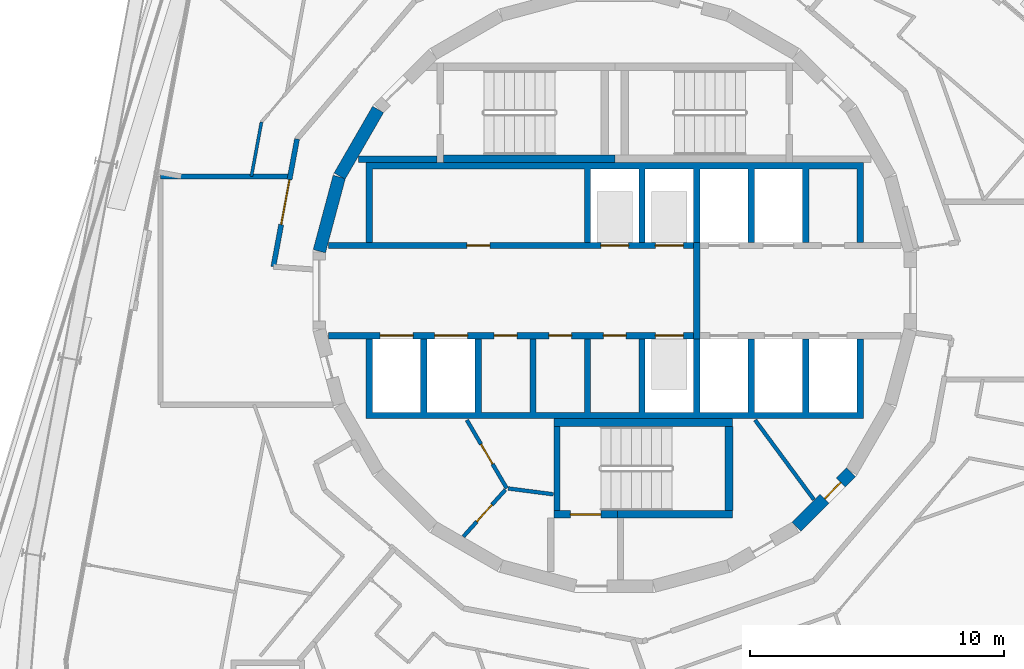
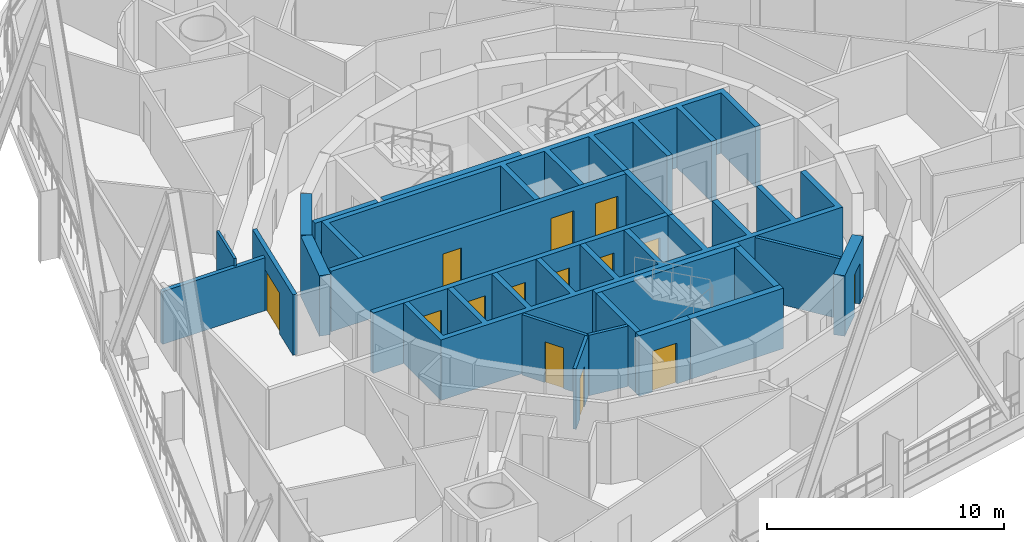
# One storey, part 12 of 25: 22 walls, 14 doors, 14 openings.
"""IFC4 building model written with IfcOpenShell, lengths in metres."""

import ifcopenshell
import ifcopenshell.guid

model = None  # the IFC model being written
_history = None  # IfcOwnerHistory: only IFC2X3 demands one
_inside = {}  # id of a spatial element -> (the spatial element, [elements in it])
_under = {}  # id of a project, library or spatial element -> (it, [spatial elements below it])
_declared = {}  # id of a project -> (the project, [libraries it declares])
_typed = {}  # id of a type object -> (the type object, [elements of that type])
_made_of = {}  # id of a material, layer set ... -> (it, [elements and type objects made of it])


def new_model(schema):
    """Start an empty IFC model of exactly this schema.

    Asked for "IFC4X3", IfcOpenShell would pick the latest addendum, in which some entities
    have other attributes; the version numbers below select the first issue.
    IFC2X3 requires an IfcOwnerHistory on every rooted entity: one is made here for all.
    """
    global model, _history
    if schema == "IFC4X3":
        model = ifcopenshell.file(schema_version=(4, 3, 0, 0))
    else:
        model = ifcopenshell.file(schema=schema)
    _inside.clear()
    _under.clear()
    _declared.clear()
    _typed.clear()
    _made_of.clear()
    _history = None
    if model.schema == "IFC2X3":
        org = make("IfcOrganization", Name="unknown")
        user = make(
            "IfcPersonAndOrganization",
            ThePerson=make("IfcPerson", FamilyName="unknown"),
            TheOrganization=org,
        )
        app = make(
            "IfcApplication",
            ApplicationDeveloper=org,
            Version="unknown",
            ApplicationFullName="unknown",
            ApplicationIdentifier="unknown",
        )
        _history = make(
            "IfcOwnerHistory",
            OwningUser=user,
            OwningApplication=app,
            ChangeAction="ADDED",
            CreationDate=0,
        )
    return model


def make(cls, **values):
    """One entity of the class cls with the attributes given. An attribute that is None is left unset."""
    return model.create_entity(
        cls, **{name: value for name, value in values.items() if value is not None}
    )


def rooted(cls, **values):
    """An entity with a GlobalId (a new one), such as an element, a storey or a relation."""
    return make(cls, GlobalId=ifcopenshell.guid.new(), OwnerHistory=_history, **values)


def si_unit(unit_type, name, prefix=None):
    """IfcSIUnit, for example si_unit("LENGTHUNIT", "METRE", prefix="MILLI")."""
    return make("IfcSIUnit", UnitType=unit_type, Prefix=prefix, Name=name)


def assignment(units):
    """IfcUnitAssignment: the units of a project."""
    return None if units is None else make("IfcUnitAssignment", Units=units)


def point(xyz):
    """IfcCartesianPoint."""
    return None if xyz is None else make("IfcCartesianPoint", Coordinates=xyz)


def direction(xyz):
    """IfcDirection."""
    return None if xyz is None else make("IfcDirection", DirectionRatios=xyz)


def frame(location, z_axis=None, x_axis=None):
    """IfcAxis2Placement3D, a coordinate frame: its origin and axes. An axis left out is left unset."""
    return make(
        "IfcAxis2Placement3D",
        Location=point(location),
        Axis=direction(z_axis),
        RefDirection=direction(x_axis),
    )


def frame_2d(location, x_axis=None):
    """IfcAxis2Placement2D, a coordinate frame in the plane: its origin and x axis."""
    return make(
        "IfcAxis2Placement2D", Location=point(location), RefDirection=direction(x_axis)
    )


def origin():
    """The frame at (0, 0, 0) with its axes left unset."""
    return frame((0.0, 0.0, 0.0))


def place(relative_to, where):
    """IfcLocalPlacement: puts the frame where relative to a parent placement (None: the world)."""
    return make(
        "IfcLocalPlacement", PlacementRelTo=relative_to, RelativePlacement=where
    )


def context(
    kind, dimensions, precision=None, world=None, true_north=None, identifier=None
):
    """IfcGeometricRepresentationContext, for example the 3D "Model" context."""
    return make(
        "IfcGeometricRepresentationContext",
        ContextIdentifier=identifier,
        ContextType=kind,
        CoordinateSpaceDimension=dimensions,
        Precision=precision,
        WorldCoordinateSystem=world,
        TrueNorth=true_north,
    )


def subcontext(parent, identifier, kind, view, scale=None):
    """IfcGeometricRepresentationSubContext, for example "Body" below "Model"."""
    return make(
        "IfcGeometricRepresentationSubContext",
        ContextIdentifier=identifier,
        ContextType=kind,
        ParentContext=parent,
        TargetScale=scale,
        TargetView=view,
    )


def project(units=None, contexts=None):
    """IfcProject with its units and contexts."""
    return rooted(
        "IfcProject",
        Name="project",
        RepresentationContexts=contexts,
        UnitsInContext=assignment(units),
    )


def spatial(cls, under=None, at=None, **own):
    """A site, building, storey or space (cls), placed at a placement, below another one or the project."""
    s = rooted(cls, ObjectPlacement=at, **own)
    if under is not None:
        _under.setdefault(under.id(), (under, []))[1].append(s)
    return s


def polyline(points):
    """IfcPolyline through the points."""
    return make("IfcPolyline", Points=[point(p) for p in points])


def profile(cls, at=None, kind="AREA", **sizes):
    """A parametric profile (cls). Its sizes go by their IFC names, for example OverallWidth=200.0."""
    return make(cls, ProfileType=kind, Position=at, **sizes)


def rectangle(**sizes):
    """IfcRectangleProfileDef."""
    return profile("IfcRectangleProfileDef", **sizes)


def outline(outer, holes=None, kind="AREA"):
    """IfcArbitraryClosedProfileDef: a profile drawn as a closed curve; with holes, ...WithVoids."""
    if holes is None:
        return make("IfcArbitraryClosedProfileDef", ProfileType=kind, OuterCurve=outer)
    return make(
        "IfcArbitraryProfileDefWithVoids",
        ProfileType=kind,
        OuterCurve=outer,
        InnerCurves=holes,
    )


def extrude(swept, where, along, depth):
    """IfcExtrudedAreaSolid: the profile swept, set in the frame where, extruded along a direction by depth."""
    return make(
        "IfcExtrudedAreaSolid",
        SweptArea=swept,
        Position=where,
        ExtrudedDirection=direction(along),
        Depth=depth,
    )


def shape(context_of_items, identifier, shape_type, items):
    """IfcShapeRepresentation: the items that make up one representation, for example the "Body"."""
    return make(
        "IfcShapeRepresentation",
        ContextOfItems=context_of_items,
        RepresentationIdentifier=identifier,
        RepresentationType=shape_type,
        Items=items,
    )


def material(Name=None, Category=None):
    """IfcMaterial."""
    return make("IfcMaterial", Name=Name, Category=Category)


def layer(
    of_material, thickness, ventilated=None, Name=None, Category=None, Priority=None
):
    """IfcMaterialLayer: one layer of a wall or slab, of a material (None: an air gap)."""
    return make(
        "IfcMaterialLayer",
        Material=of_material,
        LayerThickness=thickness,
        IsVentilated=ventilated,
        Name=Name,
        Category=Category,
        Priority=Priority,
    )


def layer_set(layers, Name=None):
    """IfcMaterialLayerSet."""
    return make("IfcMaterialLayerSet", MaterialLayers=layers, LayerSetName=Name)


def made_of(thing, what):
    """Note that an element or type object is made of a material, layer set ...; save() writes the relation."""
    if what is not None:
        _made_of.setdefault(what.id(), (what, []))[1].append(thing)
    return thing


def type_object(cls, material=None, **own):
    """A type object (cls), such as IfcWallType, which elements share."""
    return made_of(rooted(cls, **own), material)


def element(
    cls,
    number,
    at=None,
    inside=None,
    cuts=None,
    type_object=None,
    material=None,
    context=None,
    identifier="Body",
    shape_type=None,
    held_by="IfcProductDefinitionShape",
    body=None,
    shapes=None,
    **own,
):
    """One element of the class cls, such as IfcWall. Its Tag is "e" and its number.

    at: its placement. inside: the storey or other place that contains it. cuts: it is an
    opening in that element (IfcRelVoidsElement). A single representation is given by context,
    identifier, shape_type and body (its items); several are given by shapes. held_by: the class
    of the entity that holds the representations. save() writes the other relations.
    """
    e = rooted(cls, Tag="e%d" % number, ObjectPlacement=at, **own)
    if body is not None:
        shapes = [shape(context, identifier, shape_type, body)]
    if shapes is not None:
        e.Representation = make(held_by, Representations=shapes)
    if inside is not None:
        _inside.setdefault(inside.id(), (inside, []))[1].append(e)
    if cuts is not None:
        rooted(
            "IfcRelVoidsElement", RelatingBuildingElement=cuts, RelatedOpeningElement=e
        )
    if type_object is not None:
        _typed.setdefault(type_object.id(), (type_object, []))[1].append(e)
    return made_of(e, material)


def fill(opening, filler):
    """IfcRelFillsElement: the door or window that sits in an opening."""
    return rooted(
        "IfcRelFillsElement",
        RelatingOpeningElement=opening,
        RelatedBuildingElement=filler,
    )


def aggregate(whole, parts):
    """IfcRelAggregates: a whole, such as a stair, and the parts it consists of."""
    return rooted("IfcRelAggregates", RelatingObject=whole, RelatedObjects=parts)


def save(model, path):
    """Write the relations noted so far, then the file.

    IfcRelAggregates (storeys below a building ...), IfcRelContainedInSpatialStructure (elements
    in a storey), IfcRelDefinesByType, IfcRelAssociatesMaterial and IfcRelDeclares: one each for
    every whole, place, type object, material and project.
    """
    for whole, parts in _under.values():
        aggregate(whole, parts)
    for where, things in _inside.values():
        rooted(
            "IfcRelContainedInSpatialStructure",
            RelatedElements=things,
            RelatingStructure=where,
        )
    for kind, things in _typed.values():
        rooted("IfcRelDefinesByType", RelatedObjects=things, RelatingType=kind)
    for what, things in _made_of.values():
        rooted("IfcRelAssociatesMaterial", RelatedObjects=things, RelatingMaterial=what)
    for by, libraries in _declared.values():
        rooted("IfcRelDeclares", RelatingContext=by, RelatedDefinitions=libraries)
    model.write(path)


model = new_model("IFC4")

# Units and contexts
model_context = context("Model", 3, precision=1e-05, world=origin(), true_north=direction((0.0, 1.0)))
body_context = subcontext(model_context, "Body", "Model", "MODEL_VIEW")
ifc_project = project(units=[si_unit("LENGTHUNIT", "METRE"), si_unit("AREAUNIT", "SQUARE_METRE"), si_unit("VOLUMEUNIT", "CUBIC_METRE"), si_unit("PLANEANGLEUNIT", "RADIAN"), si_unit("MASSUNIT", "GRAM", prefix="KILO")], contexts=[model_context])

# Site, building, storey
site_placement = place(None, origin())
site = spatial("IfcSite", under=ifc_project, at=site_placement, CompositionType="ELEMENT")
building_placement = place(site_placement, origin())
building = spatial("IfcBuilding", under=site, at=building_placement, Name="Spindle Arch Residences", CompositionType="ELEMENT")
storey_placement = place(building_placement, frame((0.0, 0.0, 151.699951171875)))
storey = spatial("IfcBuildingStorey", under=building, at=storey_placement, Name="L37", CompositionType="ELEMENT", Elevation=151.699951171875)

# Wall, opening, door
ifc_material_1 = material(Name="Concrete C50/60", Category="concrete")
ifc_layer_1 = layer(ifc_material_1, 0.5)
ifc_layer_set_1 = layer_set([ifc_layer_1], Name="Core outline wall 500")
wall_type_1 = type_object("IfcWallType", Name="Core outline wall 500", PredefinedType="SHEAR", material=ifc_layer_set_1)
wall_1_placement = place(storey_placement, frame((7.163818359375, -9.30810546875, 0.0), z_axis=(0.0, 0.0, 1.0), x_axis=(0.707106781187, 0.707106781187, 0.0)))
wall_1 = element("IfcWall", 1, at=wall_1_placement, inside=storey, type_object=wall_type_1, Name="Core outline wall 3", PredefinedType="SHEAR", context=body_context, shape_type="SweptSolid", body=[
    extrude(rectangle(XDim=3.032470703125, YDim=0.5, at=frame_2d((1.51611328125, 0.0))), origin(), (0.0, 0.0, 1.0), 3.1201171875),
])
opening_1_placement = place(wall_1_placement, frame((1.56640625, 0.0, 0.0)))
opening_1 = element("IfcOpeningElement", 2, at=opening_1_placement, cuts=wall_1, Name="Opening R4A0-WD09", PredefinedType="OPENING", context=body_context, shape_type="SweptSolid", body=[
    extrude(rectangle(XDim=0.89990234375, YDim=2.10009765625, at=frame_2d((0.449951171875, 1.050048828125))), frame((0.0, 0.260009765625, 0.0), z_axis=(0.0, -1.0, 0.0), x_axis=(1.0, 0.0, 0.0)), (0.0, 0.0, 1.0), 0.52001953125),
])
ifc_material_2 = material(Name="Steel, fire-resisting door", Category="steel")
door_type_1 = type_object("IfcDoorType", Name="Service room door 900x2100", OperationType="SINGLE_SWING_LEFT", PredefinedType="DOOR", material=ifc_material_2)
door_1_placement = place(opening_1_placement, origin())
door_1 = element("IfcDoor", 3, at=door_1_placement, inside=storey, type_object=door_type_1, Name="Service room door R4A0-WD09", OperationType="SINGLE_SWING_LEFT", OverallHeight=2.10009765625, OverallWidth=0.89990234375, PredefinedType="DOOR", context=body_context, shape_type="SweptSolid", body=[
    extrude(rectangle(XDim=0.89990234375, YDim=2.10009765625, at=frame_2d((0.449951171875, 1.050048828125))), frame((0.0, 0.02490234375, 0.0), z_axis=(0.0, -1.0, 0.0), x_axis=(1.0, 0.0, 0.0)), (0.0, 0.0, 1.0), 0.050048828125),
])
fill(opening_1, door_1)

# Walls
for number, where, z_axis, x_axis, name in (
    (4, (-9.32861328125, 7.13671875, 0.0), (0.0, 0.0, 1.0), (-0.500087131594, -0.865975092491, 0.0), "Core outline wall 16"),
    (5, (-10.858154296875, 4.479248046875, 0.0), (0.0, 0.0, 1.0), (-0.258734743916, -0.965948410781, 0.0), "Core outline wall 17"),
):
    element("IfcWall", number, at=place(storey_placement, frame(where, z_axis=z_axis, x_axis=x_axis)), inside=storey, type_object=wall_type_1, Name=name, PredefinedType="SHEAR", context=body_context, shape_type="SweptSolid", body=[
        extrude(rectangle(XDim=3.03271484375, YDim=0.5, at=frame_2d((1.516357421875, 0.0))), origin(), (0.0, 0.0, 1.0), 3.1201171875),
    ])
ifc_material_3 = material(Name="Concrete C40/50", Category="concrete")
ifc_layer_2 = layer(ifc_material_3, 0.25)
ifc_layer_set_2 = layer_set([ifc_layer_2], Name="Fire-lift lobby wall 250")
wall_type_2 = type_object("IfcWallType", Name="Fire-lift lobby wall 250", PredefinedType="SHEAR", material=ifc_layer_set_2)
wall_2_placement = place(storey_placement, frame((3.22509765625, -1.89990234375, 0.0), z_axis=(0.0, 0.0, 1.0), x_axis=(0.0, 1.0, 0.0)))
element("IfcWall", 6, at=wall_2_placement, inside=storey, type_object=wall_type_2, Name="Fire-fighting lobby partition", PredefinedType="SHEAR", context=body_context, shape_type="SweptSolid", body=[
    extrude(rectangle(XDim=3.7998046875, YDim=0.25, at=frame_2d((1.89990234375, 0.0))), origin(), (0.0, 0.0, 1.0), 3.1201171875),
])
ifc_material_4 = material(Name="Plasterboard on steel studs", Category="steel")
ifc_layer_3 = layer(ifc_material_4, 0.1201171875)
ifc_layer_set_3 = layer_set([ifc_layer_3], Name="Flat partition 120")
wall_type_3 = type_object("IfcWallType", Name="Flat partition 120", PredefinedType="PARTITIONING", material=ifc_layer_set_3)
wall_3_placement = place(storey_placement, frame((-13.9228515625, 6.640869140625, 0.0), z_axis=(0.0, 0.0, 1.0), x_axis=(-0.182209715759, -0.983259690765, 0.0)))
element("IfcWall", 7, at=wall_3_placement, inside=storey, type_object=wall_type_3, Name="Flat partition R4A0-W074", PredefinedType="PARTITIONING", context=body_context, shape_type="SweptSolid", body=[
    extrude(rectangle(XDim=2.17724609375, YDim=0.1201171875, at=frame_2d((1.088623046875, 0.0))), origin(), (0.0, 0.0, 1.0), 3.1201171875),
])

# Wall, opening, door
ifc_material_5 = material(Name="Calcium silicate block, plastered")
ifc_layer_4 = layer(ifc_material_5, 0.199951171875)
ifc_layer_set_4 = layer_set([ifc_layer_4], Name="Lift lobby bay wall 200")
wall_type_4 = type_object("IfcWallType", Name="Lift lobby bay wall 200", PredefinedType="STANDARD", material=ifc_layer_set_4)
wall_4_placement = place(storey_placement, frame((-12.521240234375, 5.972412109375, 0.0), z_axis=(0.0, 0.0, 1.0), x_axis=(-0.182251559718, -0.983251935661, 0.0)))
wall_4 = element("IfcWall", 8, at=wall_4_placement, inside=storey, type_object=wall_type_4, Name="Lift lobby bay wall R4A0-W007", PredefinedType="STANDARD", context=body_context, shape_type="SweptSolid", body=[
    extrude(rectangle(XDim=5.1171875, YDim=0.199951171875, at=frame_2d((2.55859375, 0.0))), origin(), (0.0, 0.0, 1.0), 3.1201171875),
])
opening_2_placement = place(wall_4_placement, frame((1.62744140625, 0.0, 0.0)))
opening_2 = element("IfcOpeningElement", 9, at=opening_2_placement, cuts=wall_4, Name="Opening R4A0-LB01", PredefinedType="OPENING", context=body_context, shape_type="SweptSolid", body=[
    extrude(rectangle(XDim=1.800048828125, YDim=2.10009765625, at=frame_2d((0.89990234375, 1.050048828125))), frame((0.0, 0.10986328125, 0.0), z_axis=(0.0, -1.0, 0.0), x_axis=(1.0, 0.0, 0.0)), (0.0, 0.0, 1.0), 0.219970703125),
])
ifc_material_6 = material(Name="Steel, fire-resisting door", Category="steel")
door_type_2 = type_object("IfcDoorType", Name="Lift lobby bay door 1800x2100", OperationType="NOTDEFINED", PredefinedType="DOOR", material=ifc_material_6)
door_2_placement = place(opening_2_placement, origin())
door_2 = element("IfcDoor", 10, at=door_2_placement, inside=storey, type_object=door_type_2, Name="Lift lobby bay door R4A0-LB01", OperationType="DOUBLE_DOOR_SINGLE_SWING", OverallHeight=2.10009765625, OverallWidth=1.800048828125, PredefinedType="DOOR", context=body_context, shape_type="SweptSolid", body=[
    extrude(rectangle(XDim=1.800048828125, YDim=2.10009765625, at=frame_2d((0.89990234375, 1.050048828125))), frame((0.0, 0.02490234375, 0.0), z_axis=(0.0, -1.0, 0.0), x_axis=(1.0, 0.0, 0.0)), (0.0, 0.0, 1.0), 0.050048828125),
])
fill(opening_2, door_2)

# Wall
ifc_material_7 = material(Name="Calcium silicate block, plastered")
ifc_layer_5 = layer(ifc_material_7, 0.199951171875)
ifc_layer_set_5 = layer_set([ifc_layer_5], Name="Lift lobby bay wall 200 under beam 2730")
wall_type_5 = type_object("IfcWallType", Name="Lift lobby bay wall 200 under beam 2730", PredefinedType="STANDARD", material=ifc_layer_set_5)
wall_5_placement = place(storey_placement, frame((-12.794189453125, 4.5, 0.0), z_axis=(0.0, 0.0, 1.0), x_axis=(-1.0, 0.0, 0.0)))
element("IfcWall", 11, at=wall_5_placement, inside=storey, type_object=wall_type_5, Name="Lift lobby bay wall R4A0-W021", PredefinedType="STANDARD", context=body_context, shape_type="SweptSolid", body=[
    extrude(rectangle(XDim=5.105712890625, YDim=0.199951171875, at=frame_2d((2.552734375, 0.0))), origin(), (0.0, 0.0, 1.0), 2.72998046875),
])

# Wall, openings, doors
ifc_material_8 = material(Name="Concrete C50/60", Category="concrete")
ifc_layer_6 = layer(ifc_material_8, 0.25)
ifc_layer_set_6 = layer_set([ifc_layer_6], Name="Lift shaft wall 250")
wall_type_6 = type_object("IfcWallType", Name="Lift shaft wall 250", PredefinedType="SHEAR", material=ifc_layer_set_6)
wall_6_placement = place(storey_placement, frame((-11.280029296875, 1.77490234375, 0.0), z_axis=(0.0, 0.0, 1.0), x_axis=(1.0, 0.0, 0.0)))
wall_6 = element("IfcWall", 12, at=wall_6_placement, inside=storey, type_object=wall_type_6, Name="Lift shaft front wall NW", PredefinedType="SHEAR", context=body_context, shape_type="SweptSolid", body=[
    extrude(rectangle(XDim=14.380126953125, YDim=0.25, at=frame_2d((7.18994140625, 0.0))), origin(), (0.0, 0.0, 1.0), 3.1201171875),
])
opening_3_placement = place(wall_6_placement, frame((10.72998046875, 0.0, 0.0)))
opening_3 = element("IfcOpeningElement", 13, at=opening_3_placement, cuts=wall_6, Name="Opening R4A0-LD01", PredefinedType="OPENING", context=body_context, shape_type="SweptSolid", body=[
    extrude(rectangle(XDim=1.10009765625, YDim=2.10009765625, at=frame_2d((0.550048828125, 1.050048828125))), frame((0.0, 0.135009765625, 0.0), z_axis=(0.0, -1.0, 0.0), x_axis=(1.0, 0.0, 0.0)), (0.0, 0.0, 1.0), 0.27001953125),
])
opening_4_placement = place(wall_6_placement, frame((12.8798828125, 0.0, 0.0)))
opening_4 = element("IfcOpeningElement", 14, at=opening_4_placement, cuts=wall_6, Name="Opening R4A0-LD02", PredefinedType="OPENING", context=body_context, shape_type="SweptSolid", body=[
    extrude(rectangle(XDim=1.10009765625, YDim=2.10009765625, at=frame_2d((0.550048828125, 1.050048828125))), frame((0.0, 0.135009765625, 0.0), z_axis=(0.0, -1.0, 0.0), x_axis=(1.0, 0.0, 0.0)), (0.0, 0.0, 1.0), 0.27001953125),
])
opening_5_placement = place(wall_6_placement, frame((5.455078125, 0.0, 0.0)))
opening_5 = element("IfcOpeningElement", 15, at=opening_5_placement, cuts=wall_6, Name="Opening R4A0-WD01", PredefinedType="OPENING", context=body_context, shape_type="SweptSolid", body=[
    extrude(rectangle(XDim=0.89990234375, YDim=2.10009765625, at=frame_2d((0.449951171875, 1.050048828125))), frame((0.0, 0.135009765625, 0.0), z_axis=(0.0, -1.0, 0.0), x_axis=(1.0, 0.0, 0.0)), (0.0, 0.0, 1.0), 0.27001953125),
])
ifc_material_9 = material(Name="Steel, fire-resisting landing door", Category="steel")
door_type_3 = type_object("IfcDoorType", Name="Lift landing door 1100x2100", OperationType="DOUBLE_DOOR_SLIDING", PredefinedType="DOOR", material=ifc_material_9)
door_3_placement = place(opening_3_placement, origin())
door_3 = element("IfcDoor", 16, at=door_3_placement, inside=storey, type_object=door_type_3, Name="Lift landing door R4A0-LD01", OperationType="DOUBLE_DOOR_SLIDING", OverallHeight=2.10009765625, OverallWidth=1.10009765625, PredefinedType="DOOR", context=body_context, shape_type="SweptSolid", body=[
    extrude(rectangle(XDim=1.10009765625, YDim=2.10009765625, at=frame_2d((0.550048828125, 1.050048828125))), frame((0.0, 0.02490234375, 0.0), z_axis=(0.0, -1.0, 0.0), x_axis=(1.0, 0.0, 0.0)), (0.0, 0.0, 1.0), 0.050048828125),
])
fill(opening_3, door_3)
door_4_placement = place(opening_4_placement, origin())
door_4 = element("IfcDoor", 17, at=door_4_placement, inside=storey, type_object=door_type_3, Name="Lift landing door R4A0-LD02", OperationType="DOUBLE_DOOR_SLIDING", OverallHeight=2.10009765625, OverallWidth=1.10009765625, PredefinedType="DOOR", context=body_context, shape_type="SweptSolid", body=[
    extrude(rectangle(XDim=1.10009765625, YDim=2.10009765625, at=frame_2d((0.550048828125, 1.050048828125))), frame((0.0, 0.02490234375, 0.0), z_axis=(0.0, -1.0, 0.0), x_axis=(1.0, 0.0, 0.0)), (0.0, 0.0, 1.0), 0.050048828125),
])
fill(opening_4, door_4)
door_5_placement = place(opening_5_placement, origin())
door_5 = element("IfcDoor", 18, at=door_5_placement, inside=storey, type_object=door_type_1, Name="Service room door R4A0-WD01", OperationType="SINGLE_SWING_LEFT", OverallHeight=2.10009765625, OverallWidth=0.89990234375, PredefinedType="DOOR", context=body_context, shape_type="SweptSolid", body=[
    extrude(rectangle(XDim=0.89990234375, YDim=2.10009765625, at=frame_2d((0.449951171875, 1.050048828125))), frame((0.0, 0.02490234375, 0.0), z_axis=(0.0, -1.0, 0.0), x_axis=(1.0, 0.0, 0.0)), (0.0, 0.0, 1.0), 0.050048828125),
])
fill(opening_5, door_5)

wall_7_placement = place(storey_placement, frame((-11.280029296875, -1.77490234375, 0.0), z_axis=(0.0, 0.0, 1.0), x_axis=(1.0, 0.0, 0.0)))
wall_7 = element("IfcWall", 19, at=wall_7_placement, inside=storey, type_object=wall_type_6, Name="Lift shaft front wall SW", PredefinedType="SHEAR", context=body_context, shape_type="SweptSolid", body=[
    extrude(rectangle(XDim=14.380126953125, YDim=0.25, at=frame_2d((7.18994140625, 0.0))), origin(), (0.0, 0.0, 1.0), 3.1201171875),
])
opening_6_placement = place(wall_7_placement, frame((2.030029296875, 0.0, 0.0)))
opening_6 = element("IfcOpeningElement", 20, at=opening_6_placement, cuts=wall_7, Name="Opening R4A0-XLD01", PredefinedType="OPENING", context=body_context, shape_type="SweptSolid", body=[
    extrude(rectangle(XDim=1.300048828125, YDim=2.10009765625, at=frame_2d((0.64990234375, 1.050048828125))), frame((0.0, 0.135009765625, 0.0), z_axis=(0.0, -1.0, 0.0), x_axis=(1.0, 0.0, 0.0)), (0.0, 0.0, 1.0), 0.27001953125),
])
opening_7_placement = place(wall_7_placement, frame((4.179931640625, 0.0, 0.0)))
opening_7 = element("IfcOpeningElement", 21, at=opening_7_placement, cuts=wall_7, Name="Opening R4A0-XLD02", PredefinedType="OPENING", context=body_context, shape_type="SweptSolid", body=[
    extrude(rectangle(XDim=1.300048828125, YDim=2.10009765625, at=frame_2d((0.64990234375, 1.050048828125))), frame((0.0, 0.135009765625, 0.0), z_axis=(0.0, -1.0, 0.0), x_axis=(1.0, 0.0, 0.0)), (0.0, 0.0, 1.0), 0.27001953125),
])
opening_8_placement = place(wall_7_placement, frame((12.8798828125, 0.0, 0.0)))
opening_8 = element("IfcOpeningElement", 22, at=opening_8_placement, cuts=wall_7, Name="Opening R4A0-LD03", PredefinedType="OPENING", context=body_context, shape_type="SweptSolid", body=[
    extrude(rectangle(XDim=1.10009765625, YDim=2.10009765625, at=frame_2d((0.550048828125, 1.050048828125))), frame((0.0, 0.135009765625, 0.0), z_axis=(0.0, -1.0, 0.0), x_axis=(1.0, 0.0, 0.0)), (0.0, 0.0, 1.0), 0.27001953125),
])
opening_9_placement = place(wall_7_placement, frame((6.530029296875, 0.0, 0.0)))
opening_9 = element("IfcOpeningElement", 23, at=opening_9_placement, cuts=wall_7, Name="Opening R4A0-WD03", PredefinedType="OPENING", context=body_context, shape_type="SweptSolid", body=[
    extrude(rectangle(XDim=0.89990234375, YDim=2.10009765625, at=frame_2d((0.449951171875, 1.050048828125))), frame((0.0, 0.135009765625, 0.0), z_axis=(0.0, -1.0, 0.0), x_axis=(1.0, 0.0, 0.0)), (0.0, 0.0, 1.0), 0.27001953125),
])
opening_10_placement = place(wall_7_placement, frame((8.679931640625, 0.0, 0.0)))
opening_10 = element("IfcOpeningElement", 24, at=opening_10_placement, cuts=wall_7, Name="Opening R4A0-WD04", PredefinedType="OPENING", context=body_context, shape_type="SweptSolid", body=[
    extrude(rectangle(XDim=0.89990234375, YDim=2.10009765625, at=frame_2d((0.449951171875, 1.050048828125))), frame((0.0, 0.135009765625, 0.0), z_axis=(0.0, -1.0, 0.0), x_axis=(1.0, 0.0, 0.0)), (0.0, 0.0, 1.0), 0.27001953125),
])
opening_11_placement = place(wall_7_placement, frame((10.830078125, 0.0, 0.0)))
opening_11 = element("IfcOpeningElement", 25, at=opening_11_placement, cuts=wall_7, Name="Opening R4A0-WD05", PredefinedType="OPENING", context=body_context, shape_type="SweptSolid", body=[
    extrude(rectangle(XDim=0.89990234375, YDim=2.10009765625, at=frame_2d((0.449951171875, 1.050048828125))), frame((0.0, 0.135009765625, 0.0), z_axis=(0.0, -1.0, 0.0), x_axis=(1.0, 0.0, 0.0)), (0.0, 0.0, 1.0), 0.27001953125),
])
ifc_material_10 = material(Name="Steel, fire-resisting landing door", Category="steel")
door_type_4 = type_object("IfcDoorType", Name="Express shuttle landing door 1300x2100", OperationType="DOUBLE_DOOR_SLIDING", PredefinedType="DOOR", material=ifc_material_10)
door_6_placement = place(opening_6_placement, origin())
door_6 = element("IfcDoor", 26, at=door_6_placement, inside=storey, type_object=door_type_4, Name="Express shuttle landing door R4A0-XLD01", OperationType="DOUBLE_DOOR_SLIDING", OverallHeight=2.10009765625, OverallWidth=1.300048828125, PredefinedType="DOOR", context=body_context, shape_type="SweptSolid", body=[
    extrude(rectangle(XDim=1.300048828125, YDim=2.10009765625, at=frame_2d((0.64990234375, 1.050048828125))), frame((0.0, 0.02490234375, 0.0), z_axis=(0.0, -1.0, 0.0), x_axis=(1.0, 0.0, 0.0)), (0.0, 0.0, 1.0), 0.050048828125),
])
fill(opening_6, door_6)
door_7_placement = place(opening_7_placement, origin())
door_7 = element("IfcDoor", 27, at=door_7_placement, inside=storey, type_object=door_type_4, Name="Express shuttle landing door R4A0-XLD02", OperationType="DOUBLE_DOOR_SLIDING", OverallHeight=2.10009765625, OverallWidth=1.300048828125, PredefinedType="DOOR", context=body_context, shape_type="SweptSolid", body=[
    extrude(rectangle(XDim=1.300048828125, YDim=2.10009765625, at=frame_2d((0.64990234375, 1.050048828125))), frame((0.0, 0.02490234375, 0.0), z_axis=(0.0, -1.0, 0.0), x_axis=(1.0, 0.0, 0.0)), (0.0, 0.0, 1.0), 0.050048828125),
])
fill(opening_7, door_7)
door_8_placement = place(opening_8_placement, origin())
door_8 = element("IfcDoor", 28, at=door_8_placement, inside=storey, type_object=door_type_3, Name="Lift landing door R4A0-LD03", OperationType="DOUBLE_DOOR_SLIDING", OverallHeight=2.10009765625, OverallWidth=1.10009765625, PredefinedType="DOOR", context=body_context, shape_type="SweptSolid", body=[
    extrude(rectangle(XDim=1.10009765625, YDim=2.10009765625, at=frame_2d((0.550048828125, 1.050048828125))), frame((0.0, 0.02490234375, 0.0), z_axis=(0.0, -1.0, 0.0), x_axis=(1.0, 0.0, 0.0)), (0.0, 0.0, 1.0), 0.050048828125),
])
fill(opening_8, door_8)
door_9_placement = place(opening_9_placement, origin())
door_9 = element("IfcDoor", 29, at=door_9_placement, inside=storey, type_object=door_type_1, Name="Service room door R4A0-WD03", OperationType="SINGLE_SWING_LEFT", OverallHeight=2.10009765625, OverallWidth=0.89990234375, PredefinedType="DOOR", context=body_context, shape_type="SweptSolid", body=[
    extrude(rectangle(XDim=0.89990234375, YDim=2.10009765625, at=frame_2d((0.449951171875, 1.050048828125))), frame((0.0, 0.02490234375, 0.0), z_axis=(0.0, -1.0, 0.0), x_axis=(1.0, 0.0, 0.0)), (0.0, 0.0, 1.0), 0.050048828125),
])
fill(opening_9, door_9)
door_10_placement = place(opening_10_placement, origin())
door_10 = element("IfcDoor", 30, at=door_10_placement, inside=storey, type_object=door_type_1, Name="Service room door R4A0-WD04", OperationType="SINGLE_SWING_RIGHT", OverallHeight=2.10009765625, OverallWidth=0.89990234375, PredefinedType="DOOR", context=body_context, shape_type="SweptSolid", body=[
    extrude(rectangle(XDim=0.89990234375, YDim=2.10009765625, at=frame_2d((0.449951171875, 1.050048828125))), frame((0.0, 0.02490234375, 0.0), z_axis=(0.0, -1.0, 0.0), x_axis=(1.0, 0.0, 0.0)), (0.0, 0.0, 1.0), 0.050048828125),
])
fill(opening_10, door_10)
door_11_placement = place(opening_11_placement, origin())
door_11 = element("IfcDoor", 31, at=door_11_placement, inside=storey, type_object=door_type_1, Name="Service room door R4A0-WD05", OperationType="SINGLE_SWING_LEFT", OverallHeight=2.10009765625, OverallWidth=0.89990234375, PredefinedType="DOOR", context=body_context, shape_type="SweptSolid", body=[
    extrude(rectangle(XDim=0.89990234375, YDim=2.10009765625, at=frame_2d((0.449951171875, 1.050048828125))), frame((0.0, 0.02490234375, 0.0), z_axis=(0.0, -1.0, 0.0), x_axis=(1.0, 0.0, 0.0)), (0.0, 0.0, 1.0), 0.050048828125),
])
fill(opening_11, door_11)

# Walls
ifc_material_11 = material(Name="Concrete C50/60", Category="concrete")
wall_type_7 = type_object("IfcWallType", Name="Lift shaft wall profile", PredefinedType="SHEAR", material=ifc_material_11)
wall_8_placement = place(storey_placement, origin())
element("IfcWall", 32, at=wall_8_placement, inside=storey, type_object=wall_type_7, Name="Lift shaft walls N", PredefinedType="SHEAR", context=body_context, shape_type="SweptSolid", body=[
    extrude(outline(polyline([(-9.550048828125, 4.800048828125), (-1.199951171875, 4.800048828125), (-1.199951171875, 1.89990234375), (-0.949951171875, 1.89990234375), (-0.949951171875, 4.800048828125), (0.949951171875, 4.800048828125), (0.949951171875, 1.89990234375), (1.199951171875, 1.89990234375), (1.199951171875, 4.800048828125), (3.10009765625, 4.800048828125), (3.10009765625, 1.89990234375), (3.35009765625, 1.89990234375), (3.35009765625, 4.800048828125), (5.25, 4.800048828125), (5.25, 1.89990234375), (5.5, 1.89990234375), (5.5, 4.800048828125), (7.39990234375, 4.800048828125), (7.39990234375, 1.89990234375), (7.64990234375, 1.89990234375), (7.64990234375, 4.800048828125), (9.550048828125, 4.800048828125), (9.550048828125, 1.89990234375), (9.800048828125, 1.89990234375), (9.800048828125, 4.800048828125), (9.800048828125, 5.050048828125), (-9.800048828125, 5.050048828125), (-9.800048828125, 4.800048828125), (-9.800048828125, 1.89990234375), (-9.550048828125, 1.89990234375), (-9.550048828125, 4.800048828125)])), origin(), (0.0, 0.0, 1.0), 3.1201171875),
])
wall_9_placement = place(storey_placement, origin())
element("IfcWall", 33, at=wall_9_placement, inside=storey, type_object=wall_type_7, Name="Lift shaft walls S", PredefinedType="SHEAR", context=body_context, shape_type="SweptSolid", body=[
    extrude(outline(polyline([(9.800048828125, -5.050048828125), (9.800048828125, -4.800048828125), (9.800048828125, -1.89990234375), (9.550048828125, -1.89990234375), (9.550048828125, -4.800048828125), (7.64990234375, -4.800048828125), (7.64990234375, -1.89990234375), (7.39990234375, -1.89990234375), (7.39990234375, -4.800048828125), (5.5, -4.800048828125), (5.5, -1.89990234375), (5.25, -1.89990234375), (5.25, -4.800048828125), (3.35009765625, -4.800048828125), (3.35009765625, -1.89990234375), (3.10009765625, -1.89990234375), (3.10009765625, -4.800048828125), (1.199951171875, -4.800048828125), (1.199951171875, -1.89990234375), (0.949951171875, -1.89990234375), (0.949951171875, -4.800048828125), (-0.949951171875, -4.800048828125), (-0.949951171875, -1.89990234375), (-1.199951171875, -1.89990234375), (-1.199951171875, -4.800048828125), (-3.10009765625, -4.800048828125), (-3.10009765625, -1.89990234375), (-3.35009765625, -1.89990234375), (-3.35009765625, -4.800048828125), (-5.25, -4.800048828125), (-5.25, -1.89990234375), (-5.5, -1.89990234375), (-5.5, -4.800048828125), (-7.39990234375, -4.800048828125), (-7.39990234375, -1.89990234375), (-7.64990234375, -1.89990234375), (-7.64990234375, -4.800048828125), (-9.550048828125, -4.800048828125), (-9.550048828125, -1.89990234375), (-9.800048828125, -1.89990234375), (-9.800048828125, -4.800048828125), (-9.800048828125, -5.050048828125), (9.800048828125, -5.050048828125)])), origin(), (0.0, 0.0, 1.0), 3.1201171875),
])
ifc_material_12 = material(Name="Concrete C25/30", Category="concrete")
ifc_layer_7 = layer(ifc_material_12, 0.14990234375)
ifc_layer_set_7 = layer_set([ifc_layer_7], Name="Service room partition 150")
wall_type_8 = type_object("IfcWallType", Name="Service room partition 150", PredefinedType="PARTITIONING", material=ifc_layer_set_7)
wall_10_placement = place(storey_placement, frame((5.528076171875, -5.098388671875, 0.0), z_axis=(0.0, 0.0, 1.0), x_axis=(0.594034318069, -0.804439698769, 0.0)))
element("IfcWall", 34, at=wall_10_placement, inside=storey, type_object=wall_type_8, Name="Core service room partition", PredefinedType="PARTITIONING", context=body_context, shape_type="SweptSolid", body=[
    extrude(rectangle(XDim=3.90673828125, YDim=0.14990234375, at=frame_2d((1.953369140625, 0.0))), origin(), (0.0, 0.0, 1.0), 3.1201171875),
])

# Wall, opening, door
wall_11_placement = place(storey_placement, frame((-5.8291015625, -5.101806640625, 0.0), z_axis=(0.0, 0.0, 1.0), x_axis=(0.504480008384, -0.863423373057, 0.0)))
wall_11 = element("IfcWall", 35, at=wall_11_placement, inside=storey, type_object=wall_type_8, Name="Core service room partition", PredefinedType="PARTITIONING", context=body_context, shape_type="SweptSolid", body=[
    extrude(rectangle(XDim=3.115234375, YDim=0.14990234375, at=frame_2d((1.5576171875, 0.0))), origin(), (0.0, 0.0, 1.0), 3.1201171875),
])
opening_12_placement = place(wall_11_placement, frame((1.107421875, 0.0, 0.0)))
opening_12 = element("IfcOpeningElement", 36, at=opening_12_placement, cuts=wall_11, Name="Opening R4A0-WD07", PredefinedType="OPENING", context=body_context, shape_type="SweptSolid", body=[
    extrude(rectangle(XDim=0.89990234375, YDim=2.10009765625, at=frame_2d((0.449951171875, 1.050048828125))), frame((0.0, 0.0849609375, 0.0), z_axis=(0.0, -1.0, 0.0), x_axis=(1.0, 0.0, 0.0)), (0.0, 0.0, 1.0), 0.169921875),
])
door_12_placement = place(opening_12_placement, origin())
door_12 = element("IfcDoor", 37, at=door_12_placement, inside=storey, type_object=door_type_1, Name="Service room door R4A0-WD07", OperationType="SINGLE_SWING_LEFT", OverallHeight=2.10009765625, OverallWidth=0.89990234375, PredefinedType="DOOR", context=body_context, shape_type="SweptSolid", body=[
    extrude(rectangle(XDim=0.89990234375, YDim=2.10009765625, at=frame_2d((0.449951171875, 1.050048828125))), frame((0.0, 0.02490234375, 0.0), z_axis=(0.0, -1.0, 0.0), x_axis=(1.0, 0.0, 0.0)), (0.0, 0.0, 1.0), 0.050048828125),
])
fill(opening_12, door_12)

wall_12_placement = place(storey_placement, frame((-4.310791015625, -7.85107421875, 0.0), z_axis=(0.0, 0.0, 1.0), x_axis=(-0.667869133096, -0.744278725383, 0.0)))
wall_12 = element("IfcWall", 38, at=wall_12_placement, inside=storey, type_object=wall_type_8, Name="Core service room partition", PredefinedType="PARTITIONING", context=body_context, shape_type="SweptSolid", body=[
    extrude(rectangle(XDim=2.476318359375, YDim=0.14990234375, at=frame_2d((1.23828125, 0.0))), origin(), (0.0, 0.0, 1.0), 3.1201171875),
])
opening_13_placement = place(wall_12_placement, frame((0.7880859375, 0.0, 0.0)))
opening_13 = element("IfcOpeningElement", 39, at=opening_13_placement, cuts=wall_12, Name="Opening R4A0-WD06", PredefinedType="OPENING", context=body_context, shape_type="SweptSolid", body=[
    extrude(rectangle(XDim=0.89990234375, YDim=2.10009765625, at=frame_2d((0.449951171875, 1.050048828125))), frame((0.0, 0.0849609375, 0.0), z_axis=(0.0, -1.0, 0.0), x_axis=(1.0, 0.0, 0.0)), (0.0, 0.0, 1.0), 0.169921875),
])
door_13_placement = place(opening_13_placement, origin())
door_13 = element("IfcDoor", 40, at=door_13_placement, inside=storey, type_object=door_type_1, Name="Service room door R4A0-WD06", OperationType="SINGLE_SWING_RIGHT", OverallHeight=2.10009765625, OverallWidth=0.89990234375, PredefinedType="DOOR", context=body_context, shape_type="SweptSolid", body=[
    extrude(rectangle(XDim=0.89990234375, YDim=2.10009765625, at=frame_2d((0.449951171875, 1.050048828125))), frame((0.0, 0.02490234375, 0.0), z_axis=(0.0, -1.0, 0.0), x_axis=(1.0, 0.0, 0.0)), (0.0, 0.0, 1.0), 0.050048828125),
])
fill(opening_13, door_13)

# Walls
wall_13_placement = place(storey_placement, frame((-4.197998046875, -7.79931640625, 0.0), z_axis=(0.0, 0.0, 1.0), x_axis=(0.991686747293, -0.128675542523, 0.0)))
element("IfcWall", 41, at=wall_13_placement, inside=storey, type_object=wall_type_8, Name="Core service room partition", PredefinedType="PARTITIONING", context=body_context, shape_type="SweptSolid", body=[
    extrude(rectangle(XDim=1.79296875, YDim=0.14990234375, at=frame_2d((0.896484375, 0.0))), origin(), (0.0, 0.0, 1.0), 3.1201171875),
])
ifc_material_13 = material(Name="Concrete C40/50", Category="concrete")
ifc_layer_8 = layer(ifc_material_13, 0.25)
ifc_layer_set_8 = layer_set([ifc_layer_8], Name="Stair airlock wall 250")
wall_type_9 = type_object("IfcWallType", Name="Stair airlock wall 250", PredefinedType="SHEAR", material=ifc_layer_set_8)
wall_14_placement = place(storey_placement, frame((-7.0, 5.175048828125, 0.0), z_axis=(0.0, 0.0, 1.0), x_axis=(-1.0, 0.0, 0.0)))
element("IfcWall", 42, at=wall_14_placement, inside=storey, type_object=wall_type_9, Name="Stair ST-2 airlock wall S", PredefinedType="SHEAR", context=body_context, shape_type="SweptSolid", body=[
    extrude(rectangle(XDim=3.10009765625, YDim=0.25, at=frame_2d((1.550048828125, 0.0))), origin(), (0.0, 0.0, 1.0), 3.1201171875),
])
ifc_material_14 = material(Name="Concrete C50/60", Category="concrete")
ifc_layer_9 = layer(ifc_material_14, 0.25)
ifc_layer_set_9 = layer_set([ifc_layer_9], Name="Stair enclosure wall 250")
wall_type_10 = type_object("IfcWallType", Name="Stair enclosure wall 250", PredefinedType="SHEAR", material=ifc_layer_set_9)
wall_15_placement = place(storey_placement, frame((-2.27490234375, -8.669921875, 0.0), z_axis=(0.0, 0.0, 1.0), x_axis=(0.0, 1.0, 0.0)))
element("IfcWall", 43, at=wall_15_placement, inside=storey, type_object=wall_type_10, Name="Stair ST-3 enclosure wall W", PredefinedType="SHEAR", context=body_context, shape_type="SweptSolid", body=[
    extrude(rectangle(XDim=3.31982421875, YDim=0.25, at=frame_2d((1.659912109375, 0.0))), origin(), (0.0, 0.0, 1.0), 3.1201171875),
])
ifc_material_15 = material(Name="Concrete C50/60", Category="concrete")
ifc_layer_10 = layer(ifc_material_15, 0.300048828125)
ifc_layer_set_10 = layer_set([ifc_layer_10], Name="Stair enclosure wall 300")
wall_type_11 = type_object("IfcWallType", Name="Stair enclosure wall 300", PredefinedType="SHEAR", material=ifc_layer_set_10)
wall_16_placement = place(storey_placement, frame((-6.75, 5.199951171875, 0.0), z_axis=(0.0, 0.0, 1.0), x_axis=(1.0, 0.0, 0.0)))
element("IfcWall", 44, at=wall_16_placement, inside=storey, type_object=wall_type_11, Name="Stair ST-2 enclosure wall S", PredefinedType="SHEAR", context=body_context, shape_type="SweptSolid", body=[
    extrude(rectangle(XDim=6.75, YDim=0.300048828125, at=frame_2d((3.375, 0.0))), origin(), (0.0, 0.0, 1.0), 3.1201171875),
])
wall_17_placement = place(storey_placement, frame((-2.39990234375, -5.199951171875, 0.0), z_axis=(0.0, 0.0, 1.0), x_axis=(1.0, 0.0, 0.0)))
element("IfcWall", 45, at=wall_17_placement, inside=storey, type_object=wall_type_11, Name="Stair ST-3 enclosure wall N", PredefinedType="SHEAR", context=body_context, shape_type="SweptSolid", body=[
    extrude(rectangle(XDim=7.0498046875, YDim=0.300048828125, at=frame_2d((3.52490234375, 0.0))), origin(), (0.0, 0.0, 1.0), 3.1201171875),
])
wall_18_placement = place(storey_placement, frame((4.5, -8.669921875, 0.0), z_axis=(0.0, 0.0, 1.0), x_axis=(0.0, 1.0, 0.0)))
element("IfcWall", 46, at=wall_18_placement, inside=storey, type_object=wall_type_11, Name="Stair ST-3 enclosure wall E", PredefinedType="SHEAR", context=body_context, shape_type="SweptSolid", body=[
    extrude(rectangle(XDim=3.31982421875, YDim=0.300048828125, at=frame_2d((1.659912109375, 0.0))), origin(), (0.0, 0.0, 1.0), 3.1201171875),
])
wall_19_placement = place(storey_placement, frame((0.10009765625, -8.820068359375, 0.0), z_axis=(0.0, 0.0, 1.0), x_axis=(1.0, 0.0, 0.0)))
element("IfcWall", 47, at=wall_19_placement, inside=storey, type_object=wall_type_11, Name="Stair ST-3 enclosure wall S", PredefinedType="SHEAR", context=body_context, shape_type="SweptSolid", body=[
    extrude(rectangle(XDim=4.5498046875, YDim=0.300048828125, at=frame_2d((2.27490234375, 0.0))), origin(), (0.0, 0.0, 1.0), 3.1201171875),
])

# Wall, opening, door
wall_20_placement = place(storey_placement, frame((-2.39990234375, -8.820068359375, 0.0), z_axis=(0.0, 0.0, 1.0), x_axis=(1.0, 0.0, 0.0)))
wall_20 = element("IfcWall", 48, at=wall_20_placement, inside=storey, type_object=wall_type_11, Name="Stair ST-3 door wall", PredefinedType="SHEAR", context=body_context, shape_type="SweptSolid", body=[
    extrude(rectangle(XDim=2.5, YDim=0.300048828125, at=frame_2d((1.25, 0.0))), origin(), (0.0, 0.0, 1.0), 3.1201171875),
])
opening_14_placement = place(wall_20_placement, frame((0.64990234375, 0.0, 0.0)))
opening_14 = element("IfcOpeningElement", 49, at=opening_14_placement, cuts=wall_20, Name="Opening R4A0-SD03", PredefinedType="OPENING", context=body_context, shape_type="SweptSolid", body=[
    extrude(rectangle(XDim=1.199951171875, YDim=2.10009765625, at=frame_2d((0.60009765625, 1.050048828125))), frame((0.0, 0.16015625, 0.0), z_axis=(0.0, -1.0, 0.0), x_axis=(1.0, 0.0, 0.0)), (0.0, 0.0, 1.0), 0.320068359375),
])
ifc_material_16 = material(Name="Steel, fire-resisting door", Category="steel")
door_type_5 = type_object("IfcDoorType", Name="Stair door 1200x2100", OperationType="SINGLE_SWING_RIGHT", PredefinedType="DOOR", material=ifc_material_16)
door_14_placement = place(opening_14_placement, origin())
door_14 = element("IfcDoor", 50, at=door_14_placement, inside=storey, type_object=door_type_5, Name="Stair door R4A0-SD03", OperationType="SINGLE_SWING_LEFT", OverallHeight=2.10009765625, OverallWidth=1.199951171875, PredefinedType="DOOR", context=body_context, shape_type="SweptSolid", body=[
    extrude(rectangle(XDim=1.199951171875, YDim=2.10009765625, at=frame_2d((0.60009765625, 1.050048828125))), frame((0.0, 0.02490234375, 0.0), z_axis=(0.0, -1.0, 0.0), x_axis=(1.0, 0.0, 0.0)), (0.0, 0.0, 1.0), 0.050048828125),
])
fill(opening_14, door_14)

save(model, "model.ifc")
